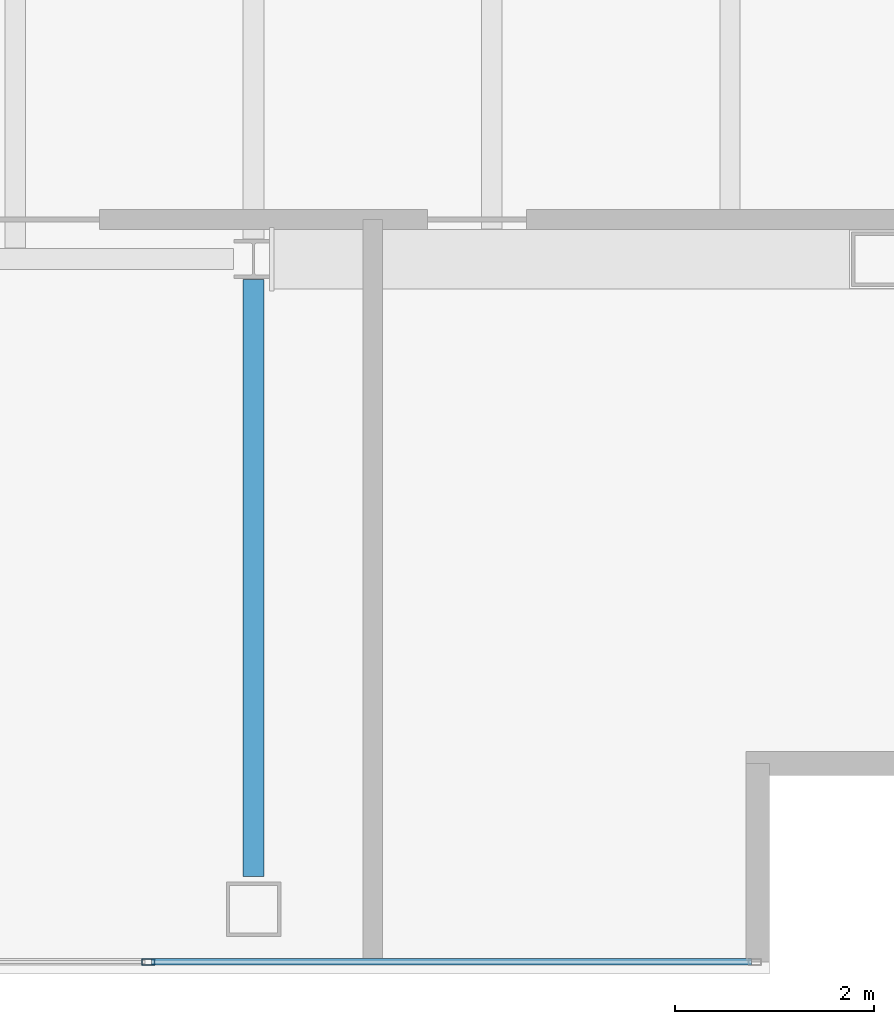
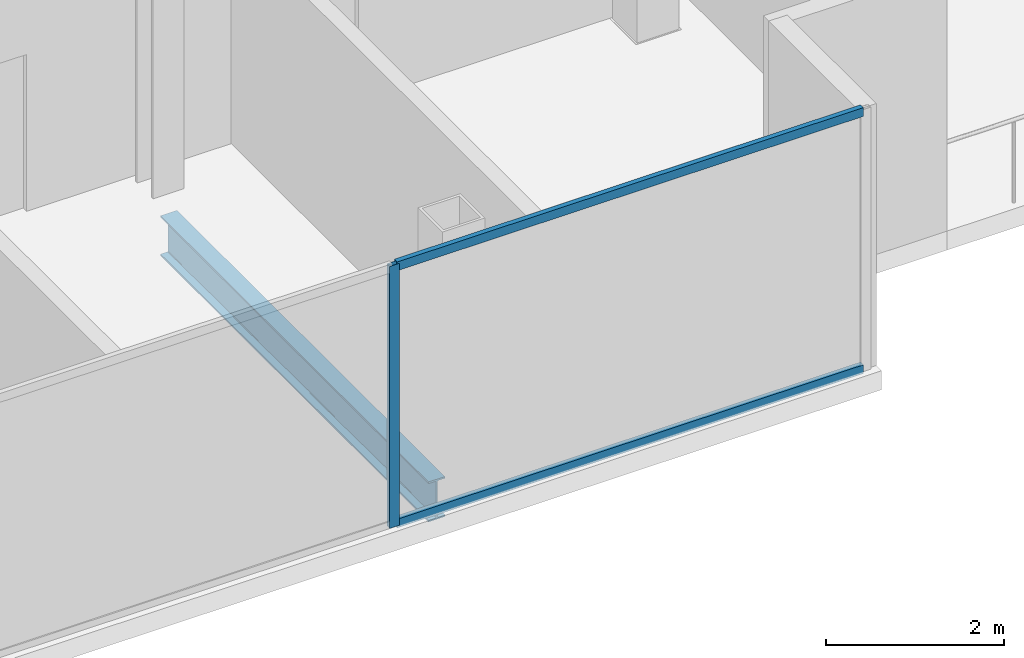
# One storey, part 4 of 16: 3 members, 1 beam, 1 element without a shape of its own.
"""IFC4 building model written with IfcOpenShell, lengths in metres."""

from ifc_helpers import new_model, si_unit, direction, frame, origin, origin_2d, place, context, subcontext, project, spatial, hollow_rectangle, i_section, extrude, material, material_profile, profile_set, type_object, element, aggregate, save


model = new_model("IFC4")

# Units and contexts
model_context = context("Model", 3, precision=1e-05, world=origin(), true_north=direction((0.0, 1.0)))
body_context = subcontext(model_context, "Body", "Model", "MODEL_VIEW")
ifc_project = project(units=[si_unit("LENGTHUNIT", "METRE"), si_unit("AREAUNIT", "SQUARE_METRE"), si_unit("VOLUMEUNIT", "CUBIC_METRE"), si_unit("PLANEANGLEUNIT", "RADIAN"), si_unit("MASSUNIT", "GRAM", prefix="KILO")], contexts=[model_context])

# Site, building, storey
site_placement = place(None, origin())
site = spatial("IfcSite", under=ifc_project, at=site_placement, CompositionType="ELEMENT")
building_placement = place(site_placement, origin())
building = spatial("IfcBuilding", under=site, at=building_placement, Name="Cobrela Telecom Tower", CompositionType="ELEMENT")
storey_placement = place(building_placement, frame((0.0, 0.0, 293.64990234375)))
storey = spatial("IfcBuildingStorey", under=building, at=storey_placement, Name="L77", CompositionType="ELEMENT", Elevation=293.64990234375)

# Beam
ifc_material_1 = material(Name="Steel ASTM A992 Grade 50", Category="steel")
ifc_material_profile_1 = material_profile(ifc_material_1, i_section(OverallWidth=0.212890625, OverallDepth=0.549072265625, WebThickness=0.0146484375, FlangeThickness=0.023681640625, FilletRadius=0.013916015625, at=origin_2d()), Name="W21X93")
ifc_profile_set_1 = profile_set([ifc_material_profile_1], Name="Steel ASTM A992 Grade 50")
beam_type = type_object("IfcBeamType", Name="BM-GIRD-08", PredefinedType="USERDEFINED", material=ifc_profile_set_1)
beam_placement = place(storey_placement, frame((21.60009765625, 8.179931640625, -0.534423828125), z_axis=(0.0, 1.0, 0.0), x_axis=(-1.0, 0.0, 0.0)))
element("IfcBeam", 1, at=beam_placement, inside=storey, type_object=beam_type, Name="L77 Primary Girder Y15", ObjectType="GIRDER", PredefinedType="USERDEFINED", context=body_context, shape_type="SweptSolid", body=[
    extrude(i_section(OverallWidth=0.212890625, OverallDepth=0.549072265625, WebThickness=0.0146484375, FlangeThickness=0.023681640625, FilletRadius=0.013916015625, at=origin_2d()), origin(), (0.0, 0.0, 1.0), 6.015625),
])

# Curtain wall, members
ifc_material_2 = material(Name="Anodized Bronze Aluminium 6063-T6", Category="aluminium")
curtain_wall_type = type_object("IfcCurtainWallType", Name="CW-SYS-DRUM", PredefinedType="USERDEFINED", material=ifc_material_2)
curtain_wall_placement = place(storey_placement, origin())
curtain_wall = element("IfcCurtainWall", 2, at=curtain_wall_placement, inside=storey, type_object=curtain_wall_type, Name="L77 Unitised Bronze Curtain Wall 11", ObjectType="UNITISED CURTAIN WALL", PredefinedType="USERDEFINED")
ifc_material_profile_2 = material_profile(ifc_material_2, hollow_rectangle(XDim=0.06494140625, YDim=0.1298828125, WallThickness=0.00390625, at=origin_2d()), Name="ALU 65x130x4")
ifc_profile_set_2 = profile_set([ifc_material_profile_2], Name="Anodized Bronze Aluminium 6063-T6")
member_type_1 = type_object("IfcMemberType", Name="CW-SYS-DRUM-MUL", PredefinedType="MULLION", material=ifc_profile_set_2)
member_1_placement = place(storey_placement, frame((20.5400390625, 7.320068359375, 0.0), z_axis=(0.0, 0.0, 1.0), x_axis=(0.0, -1.0, 0.0)))
member_1 = element("IfcMember", 3, at=member_1_placement, type_object=member_type_1, Name="CW-DRUM mullion 2", PredefinedType="MULLION", context=body_context, shape_type="SweptSolid", body=[
    extrude(hollow_rectangle(XDim=0.06494140625, YDim=0.1298828125, WallThickness=0.00390625, at=origin_2d()), origin(), (0.0, 0.0, 1.0), 3.590087890625),
])
ifc_material_profile_3 = material_profile(ifc_material_2, hollow_rectangle(XDim=0.06494140625, YDim=0.1201171875, WallThickness=0.00390625, at=origin_2d()), Name="ALU 65x120x4")
ifc_profile_set_3 = profile_set([ifc_material_profile_3], Name="Anodized Bronze Aluminium 6063-T6")
member_type_2 = type_object("IfcMemberType", Name="CW-SYS-DRUM-TRN", PredefinedType="USERDEFINED", material=ifc_profile_set_3)
member_2_placement = place(storey_placement, frame((26.614990234375, 7.320068359375, 0.03271484375), z_axis=(-1.0, 0.0, 0.0), x_axis=(0.0, -1.0, 0.0)))
member_2 = element("IfcMember", 4, at=member_2_placement, type_object=member_type_2, Name="CW-DRUM transom 1.1", ObjectType="TRANSOM", PredefinedType="USERDEFINED", context=body_context, shape_type="SweptSolid", body=[
    extrude(hollow_rectangle(XDim=0.06494140625, YDim=0.1201171875, WallThickness=0.00390625, at=origin_2d()), origin(), (0.0, 0.0, 1.0), 6.04248046875),
])
member_3_placement = place(storey_placement, frame((26.614990234375, 7.320068359375, 3.5576171875), z_axis=(-1.0, 0.0, 0.0), x_axis=(0.0, -1.0, 0.0)))
member_3 = element("IfcMember", 5, at=member_3_placement, type_object=member_type_2, Name="CW-DRUM transom 1.2", ObjectType="TRANSOM", PredefinedType="USERDEFINED", context=body_context, shape_type="SweptSolid", body=[
    extrude(hollow_rectangle(XDim=0.06494140625, YDim=0.1201171875, WallThickness=0.00390625, at=origin_2d()), origin(), (0.0, 0.0, 1.0), 6.04248046875),
])
aggregate(curtain_wall, [member_1, member_2, member_3])

save(model, "model.ifc")
